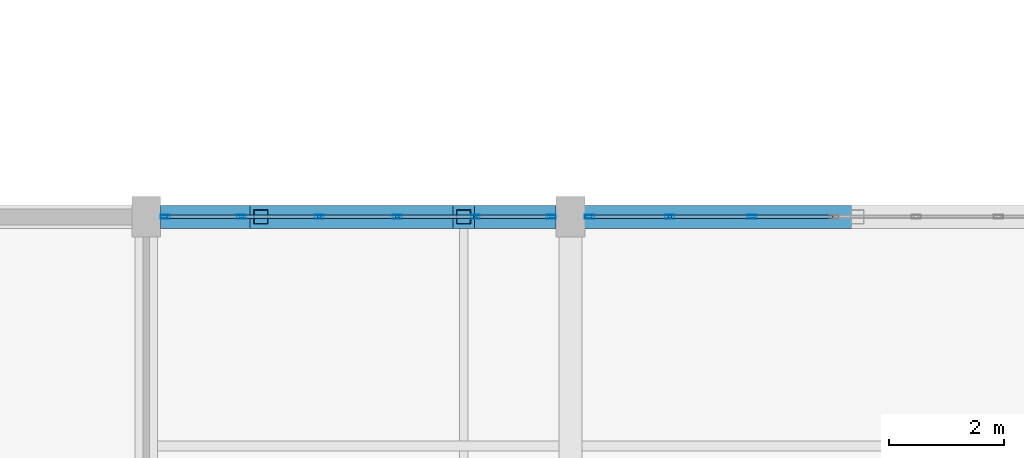
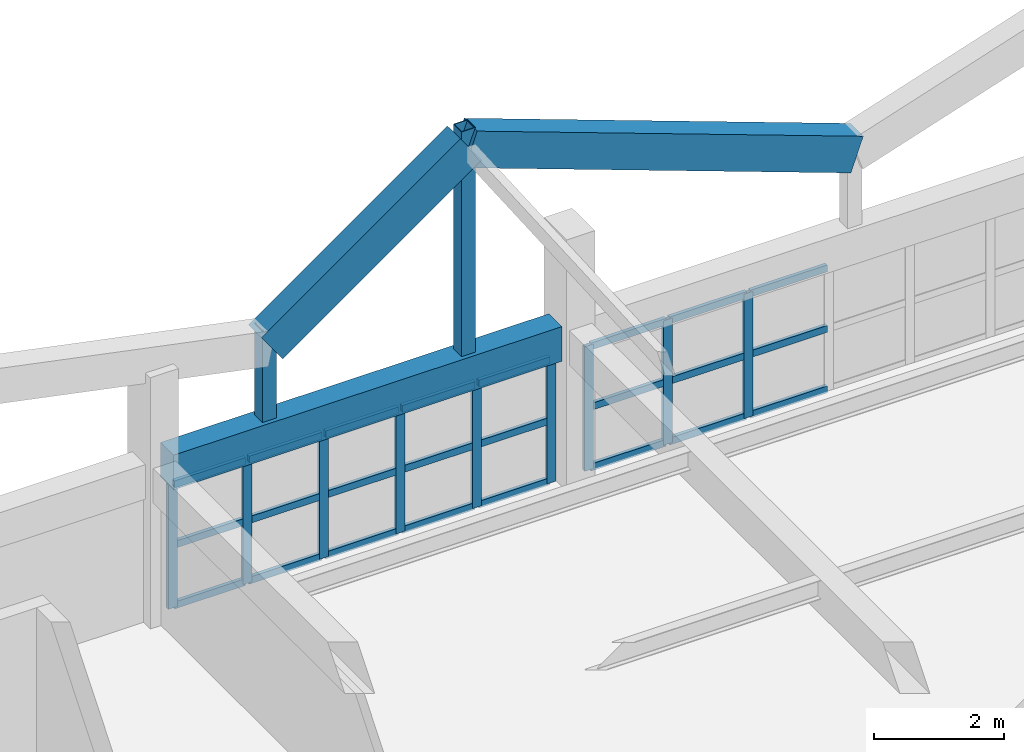
# One storey, part 22 of 127: 35 members, 3 beams, 2 elements without a shape of their own.
"""IFC4 building model written with IfcOpenShell, lengths in metres."""

from ifc_helpers import new_model, si_unit, direction, frame, origin, origin_2d, place, context, subcontext, project, spatial, rectangle, hollow_rectangle, extrude, material, material_profile, profile_set, type_object, element, aggregate, save


model = new_model("IFC4")

# Units and contexts
model_context = context("Model", 3, precision=1e-05, world=origin(), true_north=direction((0.0, 1.0)))
body_context = subcontext(model_context, "Body", "Model", "MODEL_VIEW")
ifc_project = project(units=[si_unit("LENGTHUNIT", "METRE"), si_unit("AREAUNIT", "SQUARE_METRE"), si_unit("VOLUMEUNIT", "CUBIC_METRE"), si_unit("PLANEANGLEUNIT", "RADIAN"), si_unit("MASSUNIT", "GRAM", prefix="KILO")], contexts=[model_context])

# Site, building, storey
site_placement = place(None, origin())
site = spatial("IfcSite", under=ifc_project, at=site_placement, CompositionType="ELEMENT")
building_placement = place(site_placement, origin())
building = spatial("IfcBuilding", under=site, at=building_placement, Name="Kestramere Prow Commons", CompositionType="ELEMENT")
storey_placement = place(building_placement, frame((0.0, 0.0, 8.39990234375)))
storey = spatial("IfcBuildingStorey", under=building, at=storey_placement, Name="L02", CompositionType="ELEMENT", Elevation=8.39990234375)

# Beams
ifc_material_1 = material(Name="Precast concrete C40/50", Category="concrete")
ifc_material_profile_1 = material_profile(ifc_material_1, rectangle(XDim=0.39990234375, YDim=0.64990234375, at=origin_2d()), Name="PC-BM 400x650")
ifc_profile_set_1 = profile_set([ifc_material_profile_1], Name="Precast concrete C40/50")
beam_type = type_object("IfcBeamType", Name="BM-MK-01 PC-BM 400x650 (EX)", PredefinedType="BEAM", material=ifc_profile_set_1)
beam_1_placement = place(storey_placement, frame((68.64990234375, 24.0, 2.675048828125), z_axis=(1.0, 0.0, 0.0), x_axis=(0.0, 1.0, 0.0)))
element("IfcBeam", 1, at=beam_1_placement, inside=storey, type_object=beam_type, Name="Market Spine L02 Beam X 3-2", PredefinedType="BEAM", context=body_context, shape_type="SweptSolid", body=[
    extrude(rectangle(XDim=0.39990234375, YDim=0.64990234375, at=origin_2d()), origin(), (0.0, 0.0, 1.0), 6.900146484375),
])
beam_2_placement = place(storey_placement, frame((70.39990234375, 24.0, 4.39501953125), z_axis=(0.816542676968, 0.0, 0.577285074023), x_axis=(0.0, 1.0, 0.0)))
element("IfcBeam", 2, at=beam_2_placement, inside=storey, type_object=beam_type, Name="Market Folded Rafter 2L-24", PredefinedType="BEAM", context=body_context, shape_type="SweptSolid", body=[
    extrude(rectangle(XDim=0.39990234375, YDim=0.64990234375, at=origin_2d()), origin(), (0.0, 0.0, 1.0), 4.33056640625),
])
beam_3_placement = place(storey_placement, frame((73.93603515625, 24.0, 6.89501953125), z_axis=(0.939617658725, 0.0, -0.342226029712), x_axis=(0.0, 1.0, 0.0)))
element("IfcBeam", 3, at=beam_3_placement, inside=storey, type_object=beam_type, Name="Market Folded Rafter 2R-24", PredefinedType="BEAM", context=body_context, shape_type="SweptSolid", body=[
    extrude(rectangle(XDim=0.39990234375, YDim=0.64990234375, at=origin_2d()), origin(), (0.0, 0.0, 1.0), 7.30517578125),
])

# Members
ifc_material_2 = material(Name="Steel S355JR", Category="steel")
ifc_material_profile_2 = material_profile(ifc_material_2, hollow_rectangle(XDim=0.25, YDim=0.25, WallThickness=0.012451171875, at=origin_2d()), Name="SHS 250x250x12.5")
ifc_profile_set_2 = profile_set([ifc_material_profile_2], Name="Steel S355JR")
member_type_1 = type_object("IfcMemberType", Name="BRAPX-01 SHS 250x250x12.5", PredefinedType="BRACE", material=ifc_profile_set_2)
member_1_placement = place(storey_placement, frame((73.93603515625, 24.0, 2.675048828125), z_axis=(0.0, 0.0, 1.0), x_axis=(1.0, 0.0, 0.0)))
element("IfcMember", 4, at=member_1_placement, inside=storey, type_object=member_type_1, Name="Market Folded Gable Diagonal Brace 2-24", PredefinedType="BRACE", context=body_context, shape_type="SweptSolid", body=[
    extrude(hollow_rectangle(XDim=0.25, YDim=0.25, WallThickness=0.012451171875, at=origin_2d()), origin(), (0.0, 0.0, 1.0), 4.545166015625),
])
member_2_placement = place(storey_placement, frame((70.39990234375, 24.0, 2.675048828125), z_axis=(0.0, 0.0, 1.0), x_axis=(1.0, 0.0, 0.0)))
element("IfcMember", 5, at=member_2_placement, inside=storey, type_object=member_type_1, Name="Market Folded Valley Diagonal Brace 2-24", PredefinedType="BRACE", context=body_context, shape_type="SweptSolid", body=[
    extrude(hollow_rectangle(XDim=0.25, YDim=0.25, WallThickness=0.012451171875, at=origin_2d()), origin(), (0.0, 0.0, 1.0), 2.045166015625),
])

# Curtain wall, members
ifc_material_3 = material(Name="Anodised Aluminium and Low-E Glass", Category="aluminium")
curtain_wall_type_1 = type_object("IfcCurtainWallType", Name="CW-29 Glazed Curtain Wall 6800x2340", PredefinedType="USERDEFINED", material=ifc_material_3)
curtain_wall_1_placement = place(storey_placement, origin())
curtain_wall_1 = element("IfcCurtainWall", 6, at=curtain_wall_1_placement, inside=storey, type_object=curtain_wall_type_1, Name="Market L02 Courtyard Shopfront 2", ObjectType="GLAZED CURTAIN WALL", PredefinedType="USERDEFINED")
ifc_material_4 = material(Name="Anodised Aluminium 6063-T6", Category="aluminium")
ifc_material_profile_3 = material_profile(ifc_material_4, hollow_rectangle(XDim=0.06494140625, YDim=0.159912109375, WallThickness=0.00390625, at=origin_2d()), Name="ALU-MUL 65x160")
ifc_profile_set_3 = profile_set([ifc_material_profile_3], Name="Anodised Aluminium 6063-T6")
member_type_2 = type_object("IfcMemberType", Name="CW-MUL-65x160", PredefinedType="MULLION", material=ifc_profile_set_3)
member_3_placement = place(storey_placement, frame((68.732421875, 24.0, 0.0), z_axis=(0.0, 0.0, 1.0), x_axis=(0.0, 1.0, 0.0)))
member_3 = element("IfcMember", 7, at=member_3_placement, type_object=member_type_2, Name="CW-29 mullion 1", PredefinedType="MULLION", context=body_context, shape_type="SweptSolid", body=[
    extrude(hollow_rectangle(XDim=0.06494140625, YDim=0.159912109375, WallThickness=0.00390625, at=origin_2d()), origin(), (0.0, 0.0, 1.0), 2.340087890625),
])
member_4_placement = place(storey_placement, frame((70.06005859375, 24.0, 0.0), z_axis=(0.0, 0.0, 1.0), x_axis=(0.0, 1.0, 0.0)))
member_4 = element("IfcMember", 8, at=member_4_placement, type_object=member_type_2, Name="CW-29 mullion 2", PredefinedType="MULLION", context=body_context, shape_type="SweptSolid", body=[
    extrude(hollow_rectangle(XDim=0.06494140625, YDim=0.159912109375, WallThickness=0.00390625, at=origin_2d()), origin(), (0.0, 0.0, 1.0), 2.340087890625),
])
member_5_placement = place(storey_placement, frame((71.419921875, 24.0, 0.0), z_axis=(0.0, 0.0, 1.0), x_axis=(0.0, 1.0, 0.0)))
member_5 = element("IfcMember", 9, at=member_5_placement, type_object=member_type_2, Name="CW-29 mullion 3", PredefinedType="MULLION", context=body_context, shape_type="SweptSolid", body=[
    extrude(hollow_rectangle(XDim=0.06494140625, YDim=0.159912109375, WallThickness=0.00390625, at=origin_2d()), origin(), (0.0, 0.0, 1.0), 2.340087890625),
])
member_6_placement = place(storey_placement, frame((72.780029296875, 24.0, 0.0), z_axis=(0.0, 0.0, 1.0), x_axis=(0.0, 1.0, 0.0)))
member_6 = element("IfcMember", 10, at=member_6_placement, type_object=member_type_2, Name="CW-29 mullion 4", PredefinedType="MULLION", context=body_context, shape_type="SweptSolid", body=[
    extrude(hollow_rectangle(XDim=0.06494140625, YDim=0.159912109375, WallThickness=0.00390625, at=origin_2d()), origin(), (0.0, 0.0, 1.0), 2.340087890625),
])
member_7_placement = place(storey_placement, frame((74.139892578125, 24.0, 0.0), z_axis=(0.0, 0.0, 1.0), x_axis=(0.0, 1.0, 0.0)))
member_7 = element("IfcMember", 11, at=member_7_placement, type_object=member_type_2, Name="CW-29 mullion 5", PredefinedType="MULLION", context=body_context, shape_type="SweptSolid", body=[
    extrude(hollow_rectangle(XDim=0.06494140625, YDim=0.159912109375, WallThickness=0.00390625, at=origin_2d()), origin(), (0.0, 0.0, 1.0), 2.340087890625),
])
member_8_placement = place(storey_placement, frame((75.467529296875, 24.0, 0.0), z_axis=(0.0, 0.0, 1.0), x_axis=(0.0, 1.0, 0.0)))
member_8 = element("IfcMember", 12, at=member_8_placement, type_object=member_type_2, Name="CW-29 mullion 6", PredefinedType="MULLION", context=body_context, shape_type="SweptSolid", body=[
    extrude(hollow_rectangle(XDim=0.06494140625, YDim=0.159912109375, WallThickness=0.00390625, at=origin_2d()), origin(), (0.0, 0.0, 1.0), 2.340087890625),
])

curtain_wall_type_2 = type_object("IfcCurtainWallType", Name="CW-30 Glazed Curtain Wall 8600x2340", PredefinedType="USERDEFINED", material=ifc_material_3)
curtain_wall_2_placement = place(storey_placement, origin())
curtain_wall_2 = element("IfcCurtainWall", 13, at=curtain_wall_2_placement, inside=storey, type_object=curtain_wall_type_2, Name="Market L02 Courtyard Shopfront 3", ObjectType="GLAZED CURTAIN WALL", PredefinedType="USERDEFINED")
member_9_placement = place(storey_placement, frame((76.132568359375, 24.0, 0.0), z_axis=(0.0, 0.0, 1.0), x_axis=(0.0, 1.0, 0.0)))
member_9 = element("IfcMember", 14, at=member_9_placement, type_object=member_type_2, Name="CW-30 mullion 1", PredefinedType="MULLION", context=body_context, shape_type="SweptSolid", body=[
    extrude(hollow_rectangle(XDim=0.06494140625, YDim=0.159912109375, WallThickness=0.00390625, at=origin_2d()), origin(), (0.0, 0.0, 1.0), 2.340087890625),
])
member_10_placement = place(storey_placement, frame((77.533447265625, 24.0, 0.0), z_axis=(0.0, 0.0, 1.0), x_axis=(0.0, 1.0, 0.0)))
member_10 = element("IfcMember", 15, at=member_10_placement, type_object=member_type_2, Name="CW-30 mullion 2", PredefinedType="MULLION", context=body_context, shape_type="SweptSolid", body=[
    extrude(hollow_rectangle(XDim=0.06494140625, YDim=0.159912109375, WallThickness=0.00390625, at=origin_2d()), origin(), (0.0, 0.0, 1.0), 2.340087890625),
])
member_11_placement = place(storey_placement, frame((78.966552734375, 24.0, 0.0), z_axis=(0.0, 0.0, 1.0), x_axis=(0.0, 1.0, 0.0)))
member_11 = element("IfcMember", 16, at=member_11_placement, type_object=member_type_2, Name="CW-30 mullion 3", PredefinedType="MULLION", context=body_context, shape_type="SweptSolid", body=[
    extrude(hollow_rectangle(XDim=0.06494140625, YDim=0.159912109375, WallThickness=0.00390625, at=origin_2d()), origin(), (0.0, 0.0, 1.0), 2.340087890625),
])

# Member
ifc_material_profile_4 = material_profile(ifc_material_4, hollow_rectangle(XDim=0.06494140625, YDim=0.1298828125, WallThickness=0.00390625, at=origin_2d()), Name="ALU-TRN 65x130")
ifc_profile_set_4 = profile_set([ifc_material_profile_4], Name="Anodised Aluminium 6063-T6")
member_type_3 = type_object("IfcMemberType", Name="CW-TRN-65x130", PredefinedType="USERDEFINED", material=ifc_profile_set_4)
member_12_placement = place(storey_placement, frame((68.764892578125, 24.0, 0.03271484375), z_axis=(1.0, 0.0, 0.0), x_axis=(0.0, 1.0, 0.0)))
member_12 = element("IfcMember", 17, at=member_12_placement, type_object=member_type_3, Name="CW-29 transom 1.1", ObjectType="TRANSOM", PredefinedType="USERDEFINED", context=body_context, shape_type="SweptSolid", body=[
    extrude(hollow_rectangle(XDim=0.06494140625, YDim=0.1298828125, WallThickness=0.00390625, at=origin_2d()), origin(), (0.0, 0.0, 1.0), 1.2626953125),
])

member_13_placement = place(storey_placement, frame((68.764892578125, 24.0, 1.170166015625), z_axis=(1.0, 0.0, 0.0), x_axis=(0.0, 1.0, 0.0)))
member_13 = element("IfcMember", 18, at=member_13_placement, type_object=member_type_3, Name="CW-29 transom 1.2", ObjectType="TRANSOM", PredefinedType="USERDEFINED", context=body_context, shape_type="SweptSolid", body=[
    extrude(hollow_rectangle(XDim=0.06494140625, YDim=0.1298828125, WallThickness=0.00390625, at=origin_2d()), origin(), (0.0, 0.0, 1.0), 1.2626953125),
])

member_14_placement = place(storey_placement, frame((68.764892578125, 24.0, 2.3076171875), z_axis=(1.0, 0.0, 0.0), x_axis=(0.0, 1.0, 0.0)))
member_14 = element("IfcMember", 19, at=member_14_placement, type_object=member_type_3, Name="CW-29 transom 1.3", ObjectType="TRANSOM", PredefinedType="USERDEFINED", context=body_context, shape_type="SweptSolid", body=[
    extrude(hollow_rectangle(XDim=0.06494140625, YDim=0.1298828125, WallThickness=0.00390625, at=origin_2d()), origin(), (0.0, 0.0, 1.0), 1.2626953125),
])

member_15_placement = place(storey_placement, frame((70.092529296875, 24.0, 0.03271484375), z_axis=(1.0, 0.0, 0.0), x_axis=(0.0, 1.0, 0.0)))
member_15 = element("IfcMember", 20, at=member_15_placement, type_object=member_type_3, Name="CW-29 transom 2.1", ObjectType="TRANSOM", PredefinedType="USERDEFINED", context=body_context, shape_type="SweptSolid", body=[
    extrude(hollow_rectangle(XDim=0.06494140625, YDim=0.1298828125, WallThickness=0.00390625, at=origin_2d()), origin(), (0.0, 0.0, 1.0), 1.294921875),
])

member_16_placement = place(storey_placement, frame((70.092529296875, 24.0, 1.170166015625), z_axis=(1.0, 0.0, 0.0), x_axis=(0.0, 1.0, 0.0)))
member_16 = element("IfcMember", 21, at=member_16_placement, type_object=member_type_3, Name="CW-29 transom 2.2", ObjectType="TRANSOM", PredefinedType="USERDEFINED", context=body_context, shape_type="SweptSolid", body=[
    extrude(hollow_rectangle(XDim=0.06494140625, YDim=0.1298828125, WallThickness=0.00390625, at=origin_2d()), origin(), (0.0, 0.0, 1.0), 1.294921875),
])

member_17_placement = place(storey_placement, frame((70.092529296875, 24.0, 2.3076171875), z_axis=(1.0, 0.0, 0.0), x_axis=(0.0, 1.0, 0.0)))
member_17 = element("IfcMember", 22, at=member_17_placement, type_object=member_type_3, Name="CW-29 transom 2.3", ObjectType="TRANSOM", PredefinedType="USERDEFINED", context=body_context, shape_type="SweptSolid", body=[
    extrude(hollow_rectangle(XDim=0.06494140625, YDim=0.1298828125, WallThickness=0.00390625, at=origin_2d()), origin(), (0.0, 0.0, 1.0), 1.294921875),
])

member_18_placement = place(storey_placement, frame((71.452392578125, 24.0, 0.03271484375), z_axis=(1.0, 0.0, 0.0), x_axis=(0.0, 1.0, 0.0)))
member_18 = element("IfcMember", 23, at=member_18_placement, type_object=member_type_3, Name="CW-29 transom 3.1", ObjectType="TRANSOM", PredefinedType="USERDEFINED", context=body_context, shape_type="SweptSolid", body=[
    extrude(hollow_rectangle(XDim=0.06494140625, YDim=0.1298828125, WallThickness=0.00390625, at=origin_2d()), origin(), (0.0, 0.0, 1.0), 1.295166015625),
])

member_19_placement = place(storey_placement, frame((71.452392578125, 24.0, 1.170166015625), z_axis=(1.0, 0.0, 0.0), x_axis=(0.0, 1.0, 0.0)))
member_19 = element("IfcMember", 24, at=member_19_placement, type_object=member_type_3, Name="CW-29 transom 3.2", ObjectType="TRANSOM", PredefinedType="USERDEFINED", context=body_context, shape_type="SweptSolid", body=[
    extrude(hollow_rectangle(XDim=0.06494140625, YDim=0.1298828125, WallThickness=0.00390625, at=origin_2d()), origin(), (0.0, 0.0, 1.0), 1.295166015625),
])

member_20_placement = place(storey_placement, frame((71.452392578125, 24.0, 2.3076171875), z_axis=(1.0, 0.0, 0.0), x_axis=(0.0, 1.0, 0.0)))
member_20 = element("IfcMember", 25, at=member_20_placement, type_object=member_type_3, Name="CW-29 transom 3.3", ObjectType="TRANSOM", PredefinedType="USERDEFINED", context=body_context, shape_type="SweptSolid", body=[
    extrude(hollow_rectangle(XDim=0.06494140625, YDim=0.1298828125, WallThickness=0.00390625, at=origin_2d()), origin(), (0.0, 0.0, 1.0), 1.295166015625),
])

member_21_placement = place(storey_placement, frame((72.8125, 24.0, 0.03271484375), z_axis=(1.0, 0.0, 0.0), x_axis=(0.0, 1.0, 0.0)))
member_21 = element("IfcMember", 26, at=member_21_placement, type_object=member_type_3, Name="CW-29 transom 4.1", ObjectType="TRANSOM", PredefinedType="USERDEFINED", context=body_context, shape_type="SweptSolid", body=[
    extrude(hollow_rectangle(XDim=0.06494140625, YDim=0.1298828125, WallThickness=0.00390625, at=origin_2d()), origin(), (0.0, 0.0, 1.0), 1.294921875),
])

member_22_placement = place(storey_placement, frame((72.8125, 24.0, 1.170166015625), z_axis=(1.0, 0.0, 0.0), x_axis=(0.0, 1.0, 0.0)))
member_22 = element("IfcMember", 27, at=member_22_placement, type_object=member_type_3, Name="CW-29 transom 4.2", ObjectType="TRANSOM", PredefinedType="USERDEFINED", context=body_context, shape_type="SweptSolid", body=[
    extrude(hollow_rectangle(XDim=0.06494140625, YDim=0.1298828125, WallThickness=0.00390625, at=origin_2d()), origin(), (0.0, 0.0, 1.0), 1.294921875),
])

member_23_placement = place(storey_placement, frame((72.8125, 24.0, 2.3076171875), z_axis=(1.0, 0.0, 0.0), x_axis=(0.0, 1.0, 0.0)))
member_23 = element("IfcMember", 28, at=member_23_placement, type_object=member_type_3, Name="CW-29 transom 4.3", ObjectType="TRANSOM", PredefinedType="USERDEFINED", context=body_context, shape_type="SweptSolid", body=[
    extrude(hollow_rectangle(XDim=0.06494140625, YDim=0.1298828125, WallThickness=0.00390625, at=origin_2d()), origin(), (0.0, 0.0, 1.0), 1.294921875),
])

member_24_placement = place(storey_placement, frame((74.172607421875, 24.0, 0.03271484375), z_axis=(1.0, 0.0, 0.0), x_axis=(0.0, 1.0, 0.0)))
member_24 = element("IfcMember", 29, at=member_24_placement, type_object=member_type_3, Name="CW-29 transom 5.1", ObjectType="TRANSOM", PredefinedType="USERDEFINED", context=body_context, shape_type="SweptSolid", body=[
    extrude(hollow_rectangle(XDim=0.06494140625, YDim=0.1298828125, WallThickness=0.00390625, at=origin_2d()), origin(), (0.0, 0.0, 1.0), 1.262451171875),
])

member_25_placement = place(storey_placement, frame((74.172607421875, 24.0, 1.170166015625), z_axis=(1.0, 0.0, 0.0), x_axis=(0.0, 1.0, 0.0)))
member_25 = element("IfcMember", 30, at=member_25_placement, type_object=member_type_3, Name="CW-29 transom 5.2", ObjectType="TRANSOM", PredefinedType="USERDEFINED", context=body_context, shape_type="SweptSolid", body=[
    extrude(hollow_rectangle(XDim=0.06494140625, YDim=0.1298828125, WallThickness=0.00390625, at=origin_2d()), origin(), (0.0, 0.0, 1.0), 1.262451171875),
])

member_26_placement = place(storey_placement, frame((74.172607421875, 24.0, 2.3076171875), z_axis=(1.0, 0.0, 0.0), x_axis=(0.0, 1.0, 0.0)))
member_26 = element("IfcMember", 31, at=member_26_placement, type_object=member_type_3, Name="CW-29 transom 5.3", ObjectType="TRANSOM", PredefinedType="USERDEFINED", context=body_context, shape_type="SweptSolid", body=[
    extrude(hollow_rectangle(XDim=0.06494140625, YDim=0.1298828125, WallThickness=0.00390625, at=origin_2d()), origin(), (0.0, 0.0, 1.0), 1.262451171875),
])

aggregate(curtain_wall_1, [member_3, member_4, member_5, member_6, member_7, member_8, member_12, member_13, member_14, member_15, member_16, member_17, member_18, member_19, member_20, member_21, member_22, member_23, member_24, member_25, member_26])

member_27_placement = place(storey_placement, frame((76.1650390625, 24.0, 0.03271484375), z_axis=(1.0, 0.0, 0.0), x_axis=(0.0, 1.0, 0.0)))
member_27 = element("IfcMember", 32, at=member_27_placement, type_object=member_type_3, Name="CW-30 transom 1.1", ObjectType="TRANSOM", PredefinedType="USERDEFINED", context=body_context, shape_type="SweptSolid", body=[
    extrude(hollow_rectangle(XDim=0.06494140625, YDim=0.1298828125, WallThickness=0.00390625, at=origin_2d()), origin(), (0.0, 0.0, 1.0), 1.335693359375),
])

member_28_placement = place(storey_placement, frame((76.1650390625, 24.0, 1.170166015625), z_axis=(1.0, 0.0, 0.0), x_axis=(0.0, 1.0, 0.0)))
member_28 = element("IfcMember", 33, at=member_28_placement, type_object=member_type_3, Name="CW-30 transom 1.2", ObjectType="TRANSOM", PredefinedType="USERDEFINED", context=body_context, shape_type="SweptSolid", body=[
    extrude(hollow_rectangle(XDim=0.06494140625, YDim=0.1298828125, WallThickness=0.00390625, at=origin_2d()), origin(), (0.0, 0.0, 1.0), 1.335693359375),
])

member_29_placement = place(storey_placement, frame((76.1650390625, 24.0, 2.3076171875), z_axis=(1.0, 0.0, 0.0), x_axis=(0.0, 1.0, 0.0)))
member_29 = element("IfcMember", 34, at=member_29_placement, type_object=member_type_3, Name="CW-30 transom 1.3", ObjectType="TRANSOM", PredefinedType="USERDEFINED", context=body_context, shape_type="SweptSolid", body=[
    extrude(hollow_rectangle(XDim=0.06494140625, YDim=0.1298828125, WallThickness=0.00390625, at=origin_2d()), origin(), (0.0, 0.0, 1.0), 1.335693359375),
])

member_30_placement = place(storey_placement, frame((77.56591796875, 24.0, 0.03271484375), z_axis=(1.0, 0.0, 0.0), x_axis=(0.0, 1.0, 0.0)))
member_30 = element("IfcMember", 35, at=member_30_placement, type_object=member_type_3, Name="CW-30 transom 2.1", ObjectType="TRANSOM", PredefinedType="USERDEFINED", context=body_context, shape_type="SweptSolid", body=[
    extrude(hollow_rectangle(XDim=0.06494140625, YDim=0.1298828125, WallThickness=0.00390625, at=origin_2d()), origin(), (0.0, 0.0, 1.0), 1.3681640625),
])

member_31_placement = place(storey_placement, frame((77.56591796875, 24.0, 1.170166015625), z_axis=(1.0, 0.0, 0.0), x_axis=(0.0, 1.0, 0.0)))
member_31 = element("IfcMember", 36, at=member_31_placement, type_object=member_type_3, Name="CW-30 transom 2.2", ObjectType="TRANSOM", PredefinedType="USERDEFINED", context=body_context, shape_type="SweptSolid", body=[
    extrude(hollow_rectangle(XDim=0.06494140625, YDim=0.1298828125, WallThickness=0.00390625, at=origin_2d()), origin(), (0.0, 0.0, 1.0), 1.3681640625),
])

member_32_placement = place(storey_placement, frame((77.56591796875, 24.0, 2.3076171875), z_axis=(1.0, 0.0, 0.0), x_axis=(0.0, 1.0, 0.0)))
member_32 = element("IfcMember", 37, at=member_32_placement, type_object=member_type_3, Name="CW-30 transom 2.3", ObjectType="TRANSOM", PredefinedType="USERDEFINED", context=body_context, shape_type="SweptSolid", body=[
    extrude(hollow_rectangle(XDim=0.06494140625, YDim=0.1298828125, WallThickness=0.00390625, at=origin_2d()), origin(), (0.0, 0.0, 1.0), 1.3681640625),
])

member_33_placement = place(storey_placement, frame((78.999267578125, 24.0, 0.03271484375), z_axis=(1.0, 0.0, 0.0), x_axis=(0.0, 1.0, 0.0)))
member_33 = element("IfcMember", 38, at=member_33_placement, type_object=member_type_3, Name="CW-30 transom 3.1", ObjectType="TRANSOM", PredefinedType="USERDEFINED", context=body_context, shape_type="SweptSolid", body=[
    extrude(hollow_rectangle(XDim=0.06494140625, YDim=0.1298828125, WallThickness=0.00390625, at=origin_2d()), origin(), (0.0, 0.0, 1.0), 1.3681640625),
])

member_34_placement = place(storey_placement, frame((78.999267578125, 24.0, 1.170166015625), z_axis=(1.0, 0.0, 0.0), x_axis=(0.0, 1.0, 0.0)))
member_34 = element("IfcMember", 39, at=member_34_placement, type_object=member_type_3, Name="CW-30 transom 3.2", ObjectType="TRANSOM", PredefinedType="USERDEFINED", context=body_context, shape_type="SweptSolid", body=[
    extrude(hollow_rectangle(XDim=0.06494140625, YDim=0.1298828125, WallThickness=0.00390625, at=origin_2d()), origin(), (0.0, 0.0, 1.0), 1.3681640625),
])

member_35_placement = place(storey_placement, frame((78.999267578125, 24.0, 2.3076171875), z_axis=(1.0, 0.0, 0.0), x_axis=(0.0, 1.0, 0.0)))
member_35 = element("IfcMember", 40, at=member_35_placement, type_object=member_type_3, Name="CW-30 transom 3.3", ObjectType="TRANSOM", PredefinedType="USERDEFINED", context=body_context, shape_type="SweptSolid", body=[
    extrude(hollow_rectangle(XDim=0.06494140625, YDim=0.1298828125, WallThickness=0.00390625, at=origin_2d()), origin(), (0.0, 0.0, 1.0), 1.3681640625),
])

aggregate(curtain_wall_2, [member_9, member_10, member_11, member_27, member_28, member_29, member_30, member_31, member_32, member_33, member_34, member_35])

save(model, "model.ifc")
